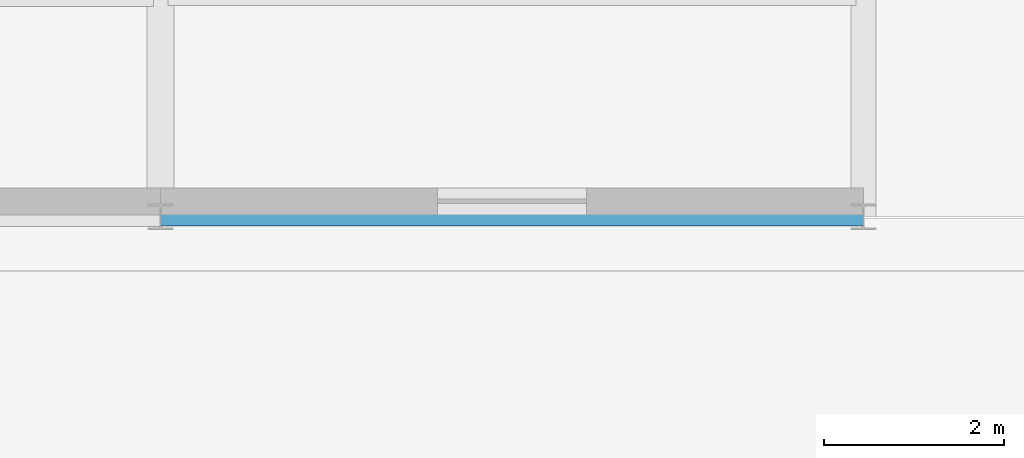
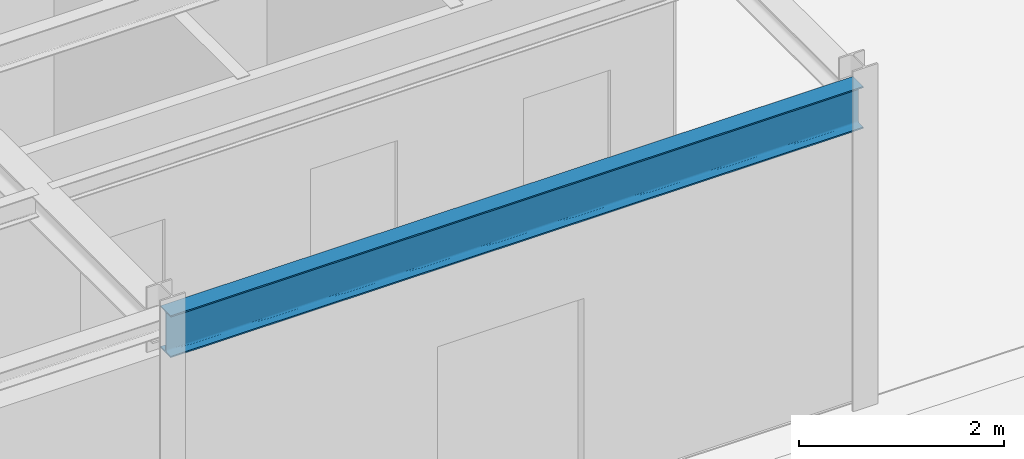
# One storey, part 26 of 58: 1 beam.
"""IFC4 building model written with IfcOpenShell, lengths in metres."""

from ifc_helpers import new_model, si_unit, derived_unit, direction, frame, origin, origin_2d, place, context, subcontext, project, spatial, i_section, extrude, material, material_profile, profile_set, type_object, element, save


model = new_model("IFC4")

# Units and contexts
model_context = context("Model", 3, precision=1e-05, world=origin(), true_north=direction((0.0, 1.0)))
body_context = subcontext(model_context, "Body", "Model", "MODEL_VIEW")
ifc_project = project(units=[si_unit("LENGTHUNIT", "METRE"), si_unit("AREAUNIT", "SQUARE_METRE"), si_unit("VOLUMEUNIT", "CUBIC_METRE"), si_unit("PLANEANGLEUNIT", "RADIAN"), si_unit("MASSUNIT", "GRAM", prefix="KILO"), derived_unit("THERMALTRANSMITTANCEUNIT", [(si_unit("POWERUNIT", "WATT"), 1), (si_unit("AREAUNIT", "SQUARE_METRE"), -1), (si_unit("THERMODYNAMICTEMPERATUREUNIT", "KELVIN"), -1)])], contexts=[model_context])

# Site, building, storey
site_placement = place(None, origin())
site = spatial("IfcSite", under=ifc_project, at=site_placement, CompositionType="ELEMENT")
building_placement = place(site_placement, origin())
building = spatial("IfcBuilding", under=site, at=building_placement, Name="Yasenodar Specialist Clinic", CompositionType="ELEMENT")
storey_placement = place(building_placement, frame((0.0, 0.0, 21.300048828125)))
storey = spatial("IfcBuildingStorey", under=building, at=storey_placement, Name="L05", CompositionType="ELEMENT", Elevation=21.300048828125)

# Beam
ifc_material = material(Name="Steel S355", Category="steel")
ifc_material_profile = material_profile(ifc_material, i_section(OverallWidth=0.199951171875, OverallDepth=0.5, WebThickness=0.01025390625, FlangeThickness=0.01611328125, FilletRadius=0.02099609375, at=origin_2d()), Name="IPE 500")
ifc_profile_set = profile_set([ifc_material_profile], Name="Steel S355")
beam_type = type_object("IfcBeamType", Name="BM-IPE500", PredefinedType="BEAM", material=ifc_profile_set)
beam_placement = place(storey_placement, frame((65.39990234375, 97.199951171875, 3.550048828125), z_axis=(1.0, 0.0, 0.0), x_axis=(0.0, 1.0, 0.0)))
element("IfcBeam", 1, at=beam_placement, inside=storey, type_object=beam_type, Name="L05 Primary E-W Girder", PredefinedType="BEAM", context=body_context, shape_type="SweptSolid", body=[
    extrude(i_section(OverallWidth=0.199951171875, OverallDepth=0.5, WebThickness=0.01025390625, FlangeThickness=0.01611328125, FilletRadius=0.02099609375, at=origin_2d()), origin(), (0.0, 0.0, 1.0), 7.800048828125),
])

save(model, "model.ifc")
